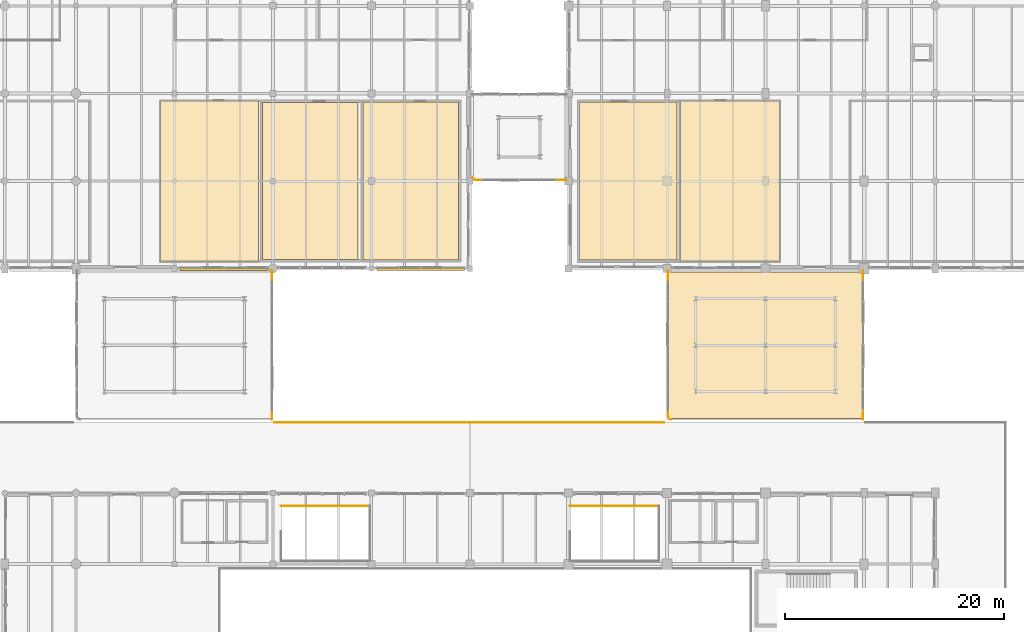
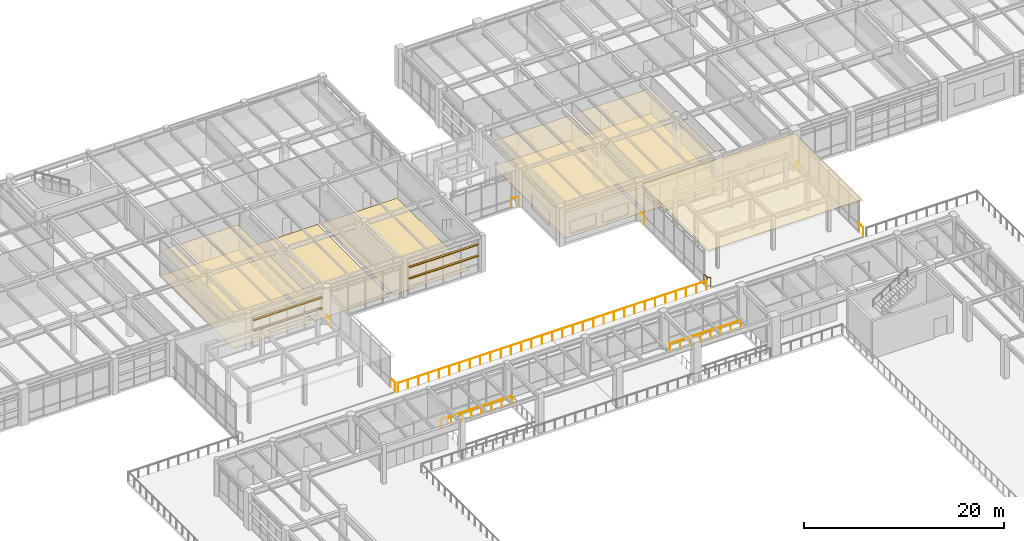
# One storey, part 196 of 200: 11 railings, 9 coverings, 4 shading devices.
"""IFC4 building model written with IfcOpenShell, lengths in metres."""

import ifcopenshell
import ifcopenshell.guid

model = None  # the IFC model being written
_history = None  # IfcOwnerHistory: only IFC2X3 demands one
_inside = {}  # id of a spatial element -> (the spatial element, [elements in it])
_under = {}  # id of a project, library or spatial element -> (it, [spatial elements below it])
_declared = {}  # id of a project -> (the project, [libraries it declares])
_typed = {}  # id of a type object -> (the type object, [elements of that type])
_made_of = {}  # id of a material, layer set ... -> (it, [elements and type objects made of it])


def new_model(schema):
    """Start an empty IFC model of exactly this schema.

    Asked for "IFC4X3", IfcOpenShell would pick the latest addendum, in which some entities
    have other attributes; the version numbers below select the first issue.
    IFC2X3 requires an IfcOwnerHistory on every rooted entity: one is made here for all.
    """
    global model, _history
    if schema == "IFC4X3":
        model = ifcopenshell.file(schema_version=(4, 3, 0, 0))
    else:
        model = ifcopenshell.file(schema=schema)
    _inside.clear()
    _under.clear()
    _declared.clear()
    _typed.clear()
    _made_of.clear()
    _history = None
    if model.schema == "IFC2X3":
        org = make("IfcOrganization", Name="unknown")
        user = make(
            "IfcPersonAndOrganization",
            ThePerson=make("IfcPerson", FamilyName="unknown"),
            TheOrganization=org,
        )
        app = make(
            "IfcApplication",
            ApplicationDeveloper=org,
            Version="unknown",
            ApplicationFullName="unknown",
            ApplicationIdentifier="unknown",
        )
        _history = make(
            "IfcOwnerHistory",
            OwningUser=user,
            OwningApplication=app,
            ChangeAction="ADDED",
            CreationDate=0,
        )
    return model


def make(cls, **values):
    """One entity of the class cls with the attributes given. An attribute that is None is left unset."""
    return model.create_entity(
        cls, **{name: value for name, value in values.items() if value is not None}
    )


def rooted(cls, **values):
    """An entity with a GlobalId (a new one), such as an element, a storey or a relation."""
    return make(cls, GlobalId=ifcopenshell.guid.new(), OwnerHistory=_history, **values)


def si_unit(unit_type, name, prefix=None):
    """IfcSIUnit, for example si_unit("LENGTHUNIT", "METRE", prefix="MILLI")."""
    return make("IfcSIUnit", UnitType=unit_type, Prefix=prefix, Name=name)


def assignment(units):
    """IfcUnitAssignment: the units of a project."""
    return None if units is None else make("IfcUnitAssignment", Units=units)


def point(xyz):
    """IfcCartesianPoint."""
    return None if xyz is None else make("IfcCartesianPoint", Coordinates=xyz)


def direction(xyz):
    """IfcDirection."""
    return None if xyz is None else make("IfcDirection", DirectionRatios=xyz)


def frame(location, z_axis=None, x_axis=None):
    """IfcAxis2Placement3D, a coordinate frame: its origin and axes. An axis left out is left unset."""
    return make(
        "IfcAxis2Placement3D",
        Location=point(location),
        Axis=direction(z_axis),
        RefDirection=direction(x_axis),
    )


def frame_2d(location, x_axis=None):
    """IfcAxis2Placement2D, a coordinate frame in the plane: its origin and x axis."""
    return make(
        "IfcAxis2Placement2D", Location=point(location), RefDirection=direction(x_axis)
    )


def origin():
    """The frame at (0, 0, 0) with its axes left unset."""
    return frame((0.0, 0.0, 0.0))


def origin_2d():
    """The frame at (0, 0) in the plane with its x axis left unset."""
    return frame_2d((0.0, 0.0))


def place(relative_to, where):
    """IfcLocalPlacement: puts the frame where relative to a parent placement (None: the world)."""
    return make(
        "IfcLocalPlacement", PlacementRelTo=relative_to, RelativePlacement=where
    )


def context(
    kind, dimensions, precision=None, world=None, true_north=None, identifier=None
):
    """IfcGeometricRepresentationContext, for example the 3D "Model" context."""
    return make(
        "IfcGeometricRepresentationContext",
        ContextIdentifier=identifier,
        ContextType=kind,
        CoordinateSpaceDimension=dimensions,
        Precision=precision,
        WorldCoordinateSystem=world,
        TrueNorth=true_north,
    )


def subcontext(parent, identifier, kind, view, scale=None):
    """IfcGeometricRepresentationSubContext, for example "Body" below "Model"."""
    return make(
        "IfcGeometricRepresentationSubContext",
        ContextIdentifier=identifier,
        ContextType=kind,
        ParentContext=parent,
        TargetScale=scale,
        TargetView=view,
    )


def project(units=None, contexts=None):
    """IfcProject with its units and contexts."""
    return rooted(
        "IfcProject",
        Name="project",
        RepresentationContexts=contexts,
        UnitsInContext=assignment(units),
    )


def spatial(cls, under=None, at=None, **own):
    """A site, building, storey or space (cls), placed at a placement, below another one or the project."""
    s = rooted(cls, ObjectPlacement=at, **own)
    if under is not None:
        _under.setdefault(under.id(), (under, []))[1].append(s)
    return s


def polyline(points):
    """IfcPolyline through the points."""
    return make("IfcPolyline", Points=[point(p) for p in points])


def profile(cls, at=None, kind="AREA", **sizes):
    """A parametric profile (cls). Its sizes go by their IFC names, for example OverallWidth=200.0."""
    return make(cls, ProfileType=kind, Position=at, **sizes)


def rectangle(**sizes):
    """IfcRectangleProfileDef."""
    return profile("IfcRectangleProfileDef", **sizes)


def circle(**sizes):
    """IfcCircleProfileDef."""
    return profile("IfcCircleProfileDef", **sizes)


def outline(outer, holes=None, kind="AREA"):
    """IfcArbitraryClosedProfileDef: a profile drawn as a closed curve; with holes, ...WithVoids."""
    if holes is None:
        return make("IfcArbitraryClosedProfileDef", ProfileType=kind, OuterCurve=outer)
    return make(
        "IfcArbitraryProfileDefWithVoids",
        ProfileType=kind,
        OuterCurve=outer,
        InnerCurves=holes,
    )


def extrude(swept, where, along, depth):
    """IfcExtrudedAreaSolid: the profile swept, set in the frame where, extruded along a direction by depth."""
    return make(
        "IfcExtrudedAreaSolid",
        SweptArea=swept,
        Position=where,
        ExtrudedDirection=direction(along),
        Depth=depth,
    )


def shape(context_of_items, identifier, shape_type, items):
    """IfcShapeRepresentation: the items that make up one representation, for example the "Body"."""
    return make(
        "IfcShapeRepresentation",
        ContextOfItems=context_of_items,
        RepresentationIdentifier=identifier,
        RepresentationType=shape_type,
        Items=items,
    )


def material(Name=None, Category=None):
    """IfcMaterial."""
    return make("IfcMaterial", Name=Name, Category=Category)


def layer(
    of_material, thickness, ventilated=None, Name=None, Category=None, Priority=None
):
    """IfcMaterialLayer: one layer of a wall or slab, of a material (None: an air gap)."""
    return make(
        "IfcMaterialLayer",
        Material=of_material,
        LayerThickness=thickness,
        IsVentilated=ventilated,
        Name=Name,
        Category=Category,
        Priority=Priority,
    )


def layer_set(layers, Name=None):
    """IfcMaterialLayerSet."""
    return make("IfcMaterialLayerSet", MaterialLayers=layers, LayerSetName=Name)


def made_of(thing, what):
    """Note that an element or type object is made of a material, layer set ...; save() writes the relation."""
    if what is not None:
        _made_of.setdefault(what.id(), (what, []))[1].append(thing)
    return thing


def type_object(cls, material=None, **own):
    """A type object (cls), such as IfcWallType, which elements share."""
    return made_of(rooted(cls, **own), material)


def element(
    cls,
    number,
    at=None,
    inside=None,
    cuts=None,
    type_object=None,
    material=None,
    context=None,
    identifier="Body",
    shape_type=None,
    held_by="IfcProductDefinitionShape",
    body=None,
    shapes=None,
    **own,
):
    """One element of the class cls, such as IfcWall. Its Tag is "e" and its number.

    at: its placement. inside: the storey or other place that contains it. cuts: it is an
    opening in that element (IfcRelVoidsElement). A single representation is given by context,
    identifier, shape_type and body (its items); several are given by shapes. held_by: the class
    of the entity that holds the representations. save() writes the other relations.
    """
    e = rooted(cls, Tag="e%d" % number, ObjectPlacement=at, **own)
    if body is not None:
        shapes = [shape(context, identifier, shape_type, body)]
    if shapes is not None:
        e.Representation = make(held_by, Representations=shapes)
    if inside is not None:
        _inside.setdefault(inside.id(), (inside, []))[1].append(e)
    if cuts is not None:
        rooted(
            "IfcRelVoidsElement", RelatingBuildingElement=cuts, RelatedOpeningElement=e
        )
    if type_object is not None:
        _typed.setdefault(type_object.id(), (type_object, []))[1].append(e)
    return made_of(e, material)


def aggregate(whole, parts):
    """IfcRelAggregates: a whole, such as a stair, and the parts it consists of."""
    return rooted("IfcRelAggregates", RelatingObject=whole, RelatedObjects=parts)


def save(model, path):
    """Write the relations noted so far, then the file.

    IfcRelAggregates (storeys below a building ...), IfcRelContainedInSpatialStructure (elements
    in a storey), IfcRelDefinesByType, IfcRelAssociatesMaterial and IfcRelDeclares: one each for
    every whole, place, type object, material and project.
    """
    for whole, parts in _under.values():
        aggregate(whole, parts)
    for where, things in _inside.values():
        rooted(
            "IfcRelContainedInSpatialStructure",
            RelatedElements=things,
            RelatingStructure=where,
        )
    for kind, things in _typed.values():
        rooted("IfcRelDefinesByType", RelatedObjects=things, RelatingType=kind)
    for what, things in _made_of.values():
        rooted("IfcRelAssociatesMaterial", RelatedObjects=things, RelatingMaterial=what)
    for by, libraries in _declared.values():
        rooted("IfcRelDeclares", RelatingContext=by, RelatedDefinitions=libraries)
    model.write(path)


model = new_model("IFC4")

# Units and contexts
model_context = context("Model", 3, precision=1e-05, world=origin(), true_north=direction((0.0, 1.0)))
body_context = subcontext(model_context, "Body", "Model", "MODEL_VIEW")
ifc_project = project(units=[si_unit("LENGTHUNIT", "METRE"), si_unit("AREAUNIT", "SQUARE_METRE"), si_unit("VOLUMEUNIT", "CUBIC_METRE"), si_unit("PLANEANGLEUNIT", "RADIAN"), si_unit("MASSUNIT", "GRAM", prefix="KILO"), si_unit("THERMODYNAMICTEMPERATUREUNIT", "KELVIN"), si_unit("POWERUNIT", "WATT")], contexts=[model_context])

# Site, building, storey
site_placement = place(None, origin())
site = spatial("IfcSite", under=ifc_project, at=site_placement, CompositionType="ELEMENT")
building_placement = place(site_placement, origin())
building = spatial("IfcBuilding", under=site, at=building_placement, Name="Tepalcoro Natatorium and Aquatics Centre", CompositionType="ELEMENT")
storey_placement = place(building_placement, frame((0.0, 0.0, 5.39990234375)))
storey = spatial("IfcBuildingStorey", under=building, at=storey_placement, Name="L01", CompositionType="ELEMENT", Elevation=5.39990234375)

# Coverings
ifc_material_1 = material(Name="Perforated Corrosion-Resistant Acoustic Aluminium Baffle Ceiling", Category="aluminium")
ifc_layer_1 = layer(ifc_material_1, 0.044921875)
ifc_layer_set_1 = layer_set([ifc_layer_1], Name="Perforated Corrosion-Resistant Acoustic Aluminium Baffle Ceiling")
covering_type_1 = type_object("IfcCoveringType", Name="CL_BAFFLE_120", PredefinedType="CEILING", material=ifc_layer_set_1)
covering_1_placement = place(storey_placement, frame((0.0, 0.0, 3.050048828125)))
element("IfcCovering", 1, at=covering_1_placement, inside=storey, type_object=covering_type_1, Name="Pilates, Mobility & Balance Studio Suspended Ceiling", PredefinedType="CEILING", context=body_context, shape_type="SweptSolid", body=[
    extrude(outline(polyline([(60.72998046875, 86.68994140625), (60.72998046875, 101.31005859375), (69.669921875, 101.31005859375), (69.669921875, 86.68994140625), (60.72998046875, 86.68994140625)])), origin(), (0.0, 0.0, 1.0), 0.045166015625),
])
ifc_material_2 = material(Name="Moisture-Resistant Acoustic Gypsum Drywall on Cold-Formed Metal Studs")
ifc_layer_2 = layer(ifc_material_2, 0.030029296875)
ifc_layer_set_2 = layer_set([ifc_layer_2], Name="Moisture-Resistant Acoustic Gypsum Drywall on Cold-Formed Metal Studs")
covering_type_2 = type_object("IfcCoveringType", Name="CL_GYPSUM_30", PredefinedType="CEILING", material=ifc_layer_set_2)
covering_2_placement = place(storey_placement, frame((0.0, 0.0, 3.050048828125)))
element("IfcCovering", 2, at=covering_2_placement, inside=storey, type_object=covering_type_2, Name="International Written Press Workroom (120 Desks) Suspended Ceiling", PredefinedType="CEILING", context=body_context, shape_type="SweptSolid", body=[
    extrude(outline(polyline([(99.010009765625, 86.77001953125), (99.010009765625, 101.22998046875), (107.889892578125, 101.22998046875), (107.889892578125, 86.77001953125), (99.010009765625, 86.77001953125)])), origin(), (0.0, 0.0, 1.0), 0.030029296875),
])
ifc_layer_3 = layer(ifc_material_1, 0.0400390625)
ifc_layer_set_3 = layer_set([ifc_layer_3], Name="Perforated Corrosion-Resistant Acoustic Aluminium Baffle Ceiling")
covering_type_3 = type_object("IfcCoveringType", Name="CL_PERF_AL_40", PredefinedType="CEILING", material=ifc_layer_set_3)
covering_3_placement = place(storey_placement, frame((0.0, 0.0, 3.050048828125)))
element("IfcCovering", 3, at=covering_3_placement, inside=storey, type_object=covering_type_3, Name="Photographers Darkroom, Editing & Locker Lounge Suspended Ceiling", PredefinedType="CEILING", context=body_context, shape_type="SweptSolid", body=[
    extrude(outline(polyline([(108.22998046875, 86.68994140625), (108.22998046875, 101.31005859375), (117.27001953125, 101.31005859375), (117.27001953125, 86.68994140625), (108.22998046875, 86.68994140625)])), origin(), (0.0, 0.0, 1.0), 0.0400390625),
])
ifc_material_3 = material(Name="Chemical-Resistant Quartz-Broadcast Epoxy Flooring")
ifc_layer_4 = layer(ifc_material_3, 0.008056640625)
ifc_layer_set_4 = layer_set([ifc_layer_4], Name="Chemical-Resistant Quartz-Broadcast Epoxy Flooring")
covering_type_4 = type_object("IfcCoveringType", Name="FL_EPOXY_8", PredefinedType="FLOORING", material=ifc_layer_set_4)
covering_4_placement = place(storey_placement, origin())
element("IfcCovering", 4, at=covering_4_placement, inside=storey, type_object=covering_type_4, Name="Gym Accessible WC & Shower Floor Finish", PredefinedType="FLOORING", context=body_context, shape_type="SweptSolid", body=[
    extrude(outline(polyline([(79.22998046875, 86.7900390625), (79.22998046875, 101.2099609375), (87.969970703125, 101.2099609375), (87.969970703125, 86.7900390625), (79.22998046875, 86.7900390625)])), origin(), (0.0, 0.0, 1.0), 0.008056640625),
])
ifc_material_4 = material(Name="Polished Jalisco Basalt Aggregate Terrazzo Flooring", Category="masonry")
ifc_layer_5 = layer(ifc_material_4, 0.028076171875)
ifc_layer_set_5 = layer_set([ifc_layer_5], Name="Polished Jalisco Basalt Aggregate Terrazzo Flooring")
covering_type_5 = type_object("IfcCoveringType", Name="FL_TERRAZZO_25", PredefinedType="FLOORING", material=ifc_layer_set_5)
covering_5_placement = place(storey_placement, origin())
element("IfcCovering", 5, at=covering_5_placement, inside=storey, type_object=covering_type_5, Name="Athlete Dry Changing & Showers Male/Female Floor Finish", PredefinedType="FLOORING", context=body_context, shape_type="SweptSolid", body=[
    extrude(outline(polyline([(70.050048828125, 86.81005859375), (70.050048828125, 101.18994140625), (78.75, 101.18994140625), (78.75, 86.81005859375), (70.050048828125, 86.81005859375)])), origin(), (0.0, 0.0, 1.0), 0.028076171875),
])
covering_6_placement = place(storey_placement, origin())
element("IfcCovering", 6, at=covering_6_placement, inside=storey, type_object=covering_type_5, Name="Photographers Darkroom, Editing & Locker Lounge Floor Finish", PredefinedType="FLOORING", context=body_context, shape_type="SweptSolid", body=[
    extrude(outline(polyline([(108.22998046875, 86.68994140625), (108.22998046875, 101.31005859375), (117.27001953125, 101.31005859375), (117.27001953125, 86.68994140625), (108.22998046875, 86.68994140625)])), origin(), (0.0, 0.0, 1.0), 0.028076171875),
])
ifc_material_5 = material(Name="Sprung Maple Sports Floor Assembly")
ifc_layer_6 = layer(ifc_material_5, 0.02392578125)
ifc_layer_set_6 = layer_set([ifc_layer_6], Name="Sprung Maple Sports Floor Assembly")
covering_type_6 = type_object("IfcCoveringType", Name="FL_WOOD_22", PredefinedType="FLOORING", material=ifc_layer_set_6)
covering_7_placement = place(storey_placement, origin())
element("IfcCovering", 7, at=covering_7_placement, inside=storey, type_object=covering_type_6, Name="Pilates, Mobility & Balance Studio Floor Finish", PredefinedType="FLOORING", context=body_context, shape_type="SweptSolid", body=[
    extrude(outline(polyline([(60.72998046875, 86.68994140625), (60.72998046875, 101.31005859375), (69.669921875, 101.31005859375), (69.669921875, 86.68994140625), (60.72998046875, 86.68994140625)])), origin(), (0.0, 0.0, 1.0), 0.024169921875),
])
covering_8_placement = place(storey_placement, origin())
element("IfcCovering", 8, at=covering_8_placement, inside=storey, type_object=covering_type_6, Name="International Written Press Workroom (120 Desks) Floor Finish", PredefinedType="FLOORING", context=body_context, shape_type="SweptSolid", body=[
    extrude(outline(polyline([(99.010009765625, 86.77001953125), (99.010009765625, 101.22998046875), (107.889892578125, 101.22998046875), (107.889892578125, 86.77001953125), (99.010009765625, 86.77001953125)])), origin(), (0.0, 0.0, 1.0), 0.024169921875),
])
ifc_material_6 = material(Name="Intensive Native Jalisco Planted Roof Substrate and Waterproofing Membrane")
ifc_layer_7 = layer(ifc_material_6, 0.00390625)
ifc_layer_set_7 = layer_set([ifc_layer_7], Name="Intensive Native Jalisco Planted Roof Substrate and Waterproofing Membrane")
covering_type_7 = type_object("IfcCoveringType", Name="MEM_EPDM_4", PredefinedType="MEMBRANE", material=ifc_layer_set_7)
covering_9_placement = place(storey_placement, frame((0.0, 0.0, 4.400146484375)))
element("IfcCovering", 9, at=covering_9_placement, inside=storey, type_object=covering_type_7, Name="East Court Wellness Arcade Roof Waterproofing Membrane", PredefinedType="MEMBRANE", context=body_context, shape_type="SweptSolid", body=[
    extrude(outline(polyline([(107.14990234375, 72.300048828125), (124.85009765625, 72.300048828125), (124.85009765625, 85.699951171875), (107.14990234375, 85.699951171875), (107.14990234375, 72.300048828125)])), origin(), (0.0, 0.0, 1.0), 0.00390625),
])

# Railings
ifc_material_7 = material(Name="Marine-Grade Brushed Stainless Steel AISI 316L", Category="steel")
railing_type_1 = type_object("IfcRailingType", Name="RL_GLASS_1100", PredefinedType="GUARDRAIL", material=ifc_material_7)
for number, where, name in (
    (10, (70.919921875, 72.18994140625, 0.0), "West Court Swimmers Arcade L01 Seismic Joint Edge Guard ES"),
    (11, (70.919921875, 84.949951171875, 0.0), "West Court Swimmers Arcade L01 Seismic Joint Edge Guard EN"),
):
    element("IfcRailing", number, at=place(storey_placement, frame(where)), inside=storey, type_object=railing_type_1, Name=name, PredefinedType="GUARDRAIL", context=body_context, shape_type="SweptSolid", body=[
        extrude(circle(Radius=0.02392578125, at=origin_2d()), frame((0.0, 0.0, 1.09619140625), z_axis=(0.0, 1.0, 0.0), x_axis=(-1.0, 0.0, 0.0)), (0.0, 0.0, 1.0), 0.860107421875),
        extrude(circle(Radius=0.02099609375, at=origin_2d()), origin(), (0.0, 0.0, 1.0), 1.072021484375),
        extrude(circle(Radius=0.02099609375, at=origin_2d()), frame((0.0, 0.860107421875, 0.0)), (0.0, 0.0, 1.0), 1.072021484375),
    ])
railing_1_placement = place(storey_placement, frame((107.35009765625, 72.2099609375, 0.0)))
element("IfcRailing", 12, at=railing_1_placement, inside=storey, type_object=railing_type_1, Name="East Court Wellness Arcade L01 Seismic Joint Edge Guard WS", PredefinedType="GUARDRAIL", context=body_context, shape_type="SweptSolid", body=[
    extrude(circle(Radius=0.02392578125, at=origin_2d()), frame((0.0, 0.0, 1.09619140625), z_axis=(-0.668931315457, 0.743324219436, 0.0), x_axis=(-0.743324219436, -0.668931315457, 0.0)), (0.0, 0.0, 1.0), 0.403564453125),
    extrude(circle(Radius=0.02392578125, at=origin_2d()), frame((-0.27001953125, 0.300048828125, 1.09619140625), z_axis=(0.0, 1.0, 0.0), x_axis=(-1.0, 0.0, 0.0)), (0.0, 0.0, 1.0), 0.5400390625),
    extrude(circle(Radius=0.02099609375, at=origin_2d()), origin(), (0.0, 0.0, 1.0), 1.072021484375),
    extrude(circle(Radius=0.02099609375, at=origin_2d()), frame((-0.27001953125, 0.300048828125, 0.0)), (0.0, 0.0, 1.0), 1.072021484375),
    extrude(circle(Radius=0.02099609375, at=origin_2d()), frame((-0.27001953125, 0.840087890625, 0.0)), (0.0, 0.0, 1.0), 1.072021484375),
])
for number, where, name in (
    (13, (107.080078125, 84.949951171875, 0.0), "East Court Wellness Arcade L01 Seismic Joint Edge Guard WN"),
    (14, (124.919921875, 72.18994140625, 0.0), "East Court Wellness Arcade L01 Seismic Joint Edge Guard ES"),
    (15, (124.919921875, 84.949951171875, 0.0), "East Court Wellness Arcade L01 Seismic Joint Edge Guard EN"),
):
    element("IfcRailing", number, at=place(storey_placement, frame(where)), inside=storey, type_object=railing_type_1, Name=name, PredefinedType="GUARDRAIL", context=body_context, shape_type="SweptSolid", body=[
        extrude(circle(Radius=0.02392578125, at=origin_2d()), frame((0.0, 0.0, 1.09619140625), z_axis=(0.0, 1.0, 0.0), x_axis=(-1.0, 0.0, 0.0)), (0.0, 0.0, 1.0), 0.860107421875),
        extrude(circle(Radius=0.02099609375, at=origin_2d()), origin(), (0.0, 0.0, 1.0), 1.072021484375),
        extrude(circle(Radius=0.02099609375, at=origin_2d()), frame((0.0, 0.860107421875, 0.0)), (0.0, 0.0, 1.0), 1.072021484375),
    ])
railing_2_placement = place(storey_placement, frame((89.2099609375, 94.35009765625, 0.0)))
element("IfcRailing", 16, at=railing_2_placement, inside=storey, type_object=railing_type_1, Name="North Spine Seismic Link L01 Seismic Joint Edge Guard SW", PredefinedType="GUARDRAIL", context=body_context, shape_type="SweptSolid", body=[
    extrude(circle(Radius=0.02392578125, at=origin_2d()), frame((0.0, 0.0, 1.09619140625), z_axis=(0.743324219436, -0.668931315457, 0.0), x_axis=(0.668931315457, 0.743324219436, 0.0)), (0.0, 0.0, 1.0), 0.403564453125),
    extrude(circle(Radius=0.02392578125, at=origin_2d()), frame((0.300048828125, -0.27001953125, 1.09619140625), z_axis=(1.0, 0.0, 0.0), x_axis=(0.0, 1.0, 0.0)), (0.0, 0.0, 1.0), 0.5400390625),
    extrude(circle(Radius=0.02099609375, at=origin_2d()), origin(), (0.0, 0.0, 1.0), 1.072021484375),
    extrude(circle(Radius=0.02099609375, at=origin_2d()), frame((0.300048828125, -0.27001953125, 0.0)), (0.0, 0.0, 1.0), 1.072021484375),
    extrude(circle(Radius=0.02099609375, at=origin_2d()), frame((0.840087890625, -0.27001953125, 0.0)), (0.0, 0.0, 1.0), 1.072021484375),
])
railing_3_placement = place(storey_placement, frame((96.949951171875, 94.080078125, 0.0)))
element("IfcRailing", 17, at=railing_3_placement, inside=storey, type_object=railing_type_1, Name="North Spine Seismic Link L01 Seismic Joint Edge Guard SE", PredefinedType="GUARDRAIL", context=body_context, shape_type="SweptSolid", body=[
    extrude(circle(Radius=0.02392578125, at=origin_2d()), frame((0.0, 0.0, 1.09619140625), z_axis=(1.0, 0.0, 0.0), x_axis=(0.0, 1.0, 0.0)), (0.0, 0.0, 1.0), 0.860107421875),
    extrude(circle(Radius=0.02099609375, at=origin_2d()), origin(), (0.0, 0.0, 1.0), 1.072021484375),
    extrude(circle(Radius=0.02099609375, at=origin_2d()), frame((0.860107421875, 0.0, 0.0)), (0.0, 0.0, 1.0), 1.072021484375),
])
railing_type_2 = type_object("IfcRailingType", Name="RL_PERF_1100", PredefinedType="GUARDRAIL", material=ifc_material_7)
railing_4_placement = place(storey_placement, frame((106.719970703125, 71.919921875, 0.0)))
element("IfcRailing", 18, at=railing_4_placement, inside=storey, type_object=railing_type_2, Name="V1 L01 Planted Terrace Perimeter Guardrail (N-2)", PredefinedType="GUARDRAIL", context=body_context, shape_type="SweptSolid", body=[
    extrude(circle(Radius=0.02392578125, at=origin_2d()), frame((0.0, 0.0, 1.11572265625), z_axis=(-1.0, 0.0, 0.0), x_axis=(0.0, -1.0, 0.0)), (0.0, 0.0, 1.0), 35.599853515625),
    extrude(circle(Radius=0.02099609375, at=origin_2d()), origin(), (0.0, 0.0, 1.0), 1.091796875),
    extrude(circle(Radius=0.02099609375, at=origin_2d()), frame((-1.186767578125, 0.0, 0.0)), (0.0, 0.0, 1.0), 1.091796875),
    extrude(circle(Radius=0.02099609375, at=origin_2d()), frame((-2.373291015625, 0.0, 0.0)), (0.0, 0.0, 1.0), 1.091796875),
    extrude(circle(Radius=0.02099609375, at=origin_2d()), frame((-3.56005859375, 0.0, 0.0)), (0.0, 0.0, 1.0), 1.091796875),
    extrude(circle(Radius=0.02099609375, at=origin_2d()), frame((-4.74658203125, 0.0, 0.0)), (0.0, 0.0, 1.0), 1.091796875),
    extrude(circle(Radius=0.02099609375, at=origin_2d()), frame((-5.933349609375, 0.0, 0.0)), (0.0, 0.0, 1.0), 1.091796875),
    extrude(circle(Radius=0.02099609375, at=origin_2d()), frame((-7.119873046875, 0.0, 0.0)), (0.0, 0.0, 1.0), 1.091796875),
    extrude(circle(Radius=0.02099609375, at=origin_2d()), frame((-8.306640625, 0.0, 0.0)), (0.0, 0.0, 1.0), 1.091796875),
    extrude(circle(Radius=0.02099609375, at=origin_2d()), frame((-9.493408203125, 0.0, 0.0)), (0.0, 0.0, 1.0), 1.091796875),
    extrude(circle(Radius=0.02099609375, at=origin_2d()), frame((-10.679931640625, 0.0, 0.0)), (0.0, 0.0, 1.0), 1.091796875),
    extrude(circle(Radius=0.02099609375, at=origin_2d()), frame((-11.86669921875, 0.0, 0.0)), (0.0, 0.0, 1.0), 1.091796875),
    extrude(circle(Radius=0.02099609375, at=origin_2d()), frame((-13.05322265625, 0.0, 0.0)), (0.0, 0.0, 1.0), 1.091796875),
    extrude(circle(Radius=0.02099609375, at=origin_2d()), frame((-14.239990234375, 0.0, 0.0)), (0.0, 0.0, 1.0), 1.091796875),
    extrude(circle(Radius=0.02099609375, at=origin_2d()), frame((-15.426513671875, 0.0, 0.0)), (0.0, 0.0, 1.0), 1.091796875),
    extrude(circle(Radius=0.02099609375, at=origin_2d()), frame((-16.61328125, 0.0, 0.0)), (0.0, 0.0, 1.0), 1.091796875),
    extrude(circle(Radius=0.02099609375, at=origin_2d()), frame((-17.7998046875, 0.0, 0.0)), (0.0, 0.0, 1.0), 1.091796875),
    extrude(circle(Radius=0.02099609375, at=origin_2d()), frame((-18.986572265625, 0.0, 0.0)), (0.0, 0.0, 1.0), 1.091796875),
    extrude(circle(Radius=0.02099609375, at=origin_2d()), frame((-20.17333984375, 0.0, 0.0)), (0.0, 0.0, 1.0), 1.091796875),
    extrude(circle(Radius=0.02099609375, at=origin_2d()), frame((-21.35986328125, 0.0, 0.0)), (0.0, 0.0, 1.0), 1.091796875),
    extrude(circle(Radius=0.02099609375, at=origin_2d()), frame((-22.546630859375, 0.0, 0.0)), (0.0, 0.0, 1.0), 1.091796875),
    extrude(circle(Radius=0.02099609375, at=origin_2d()), frame((-23.733154296875, 0.0, 0.0)), (0.0, 0.0, 1.0), 1.091796875),
    extrude(circle(Radius=0.02099609375, at=origin_2d()), frame((-24.919921875, 0.0, 0.0)), (0.0, 0.0, 1.0), 1.091796875),
    extrude(circle(Radius=0.02099609375, at=origin_2d()), frame((-26.1064453125, 0.0, 0.0)), (0.0, 0.0, 1.0), 1.091796875),
    extrude(circle(Radius=0.02099609375, at=origin_2d()), frame((-27.293212890625, 0.0, 0.0)), (0.0, 0.0, 1.0), 1.091796875),
    extrude(circle(Radius=0.02099609375, at=origin_2d()), frame((-28.47998046875, 0.0, 0.0)), (0.0, 0.0, 1.0), 1.091796875),
    extrude(circle(Radius=0.02099609375, at=origin_2d()), frame((-29.66650390625, 0.0, 0.0)), (0.0, 0.0, 1.0), 1.091796875),
    extrude(circle(Radius=0.02099609375, at=origin_2d()), frame((-30.853271484375, 0.0, 0.0)), (0.0, 0.0, 1.0), 1.091796875),
    extrude(circle(Radius=0.02099609375, at=origin_2d()), frame((-32.039794921875, 0.0, 0.0)), (0.0, 0.0, 1.0), 1.091796875),
    extrude(circle(Radius=0.02099609375, at=origin_2d()), frame((-33.2265625, 0.0, 0.0)), (0.0, 0.0, 1.0), 1.091796875),
    extrude(circle(Radius=0.02099609375, at=origin_2d()), frame((-34.4130859375, 0.0, 0.0)), (0.0, 0.0, 1.0), 1.091796875),
    extrude(circle(Radius=0.02099609375, at=origin_2d()), frame((-35.599853515625, 0.0, 0.0)), (0.0, 0.0, 1.0), 1.091796875),
])
railing_type_3 = type_object("IfcRailingType", Name="RL_SS_1100", PredefinedType="GUARDRAIL", material=ifc_material_7)
for number, where, name in (
    (19, (79.8798828125, 64.330078125, 0.0), "Spectator Vomitory Well Guard 3 (N)"),
    (20, (106.280029296875, 64.330078125, 0.0), "Spectator Vomitory Well Guard 4 (N)"),
):
    element("IfcRailing", number, at=place(storey_placement, frame(where)), inside=storey, type_object=railing_type_3, Name=name, PredefinedType="GUARDRAIL", context=body_context, shape_type="SweptSolid", body=[
        extrude(circle(Radius=0.02392578125, at=origin_2d()), frame((0.0, 0.0, 1.076171875), z_axis=(-1.0, 0.0, 0.0), x_axis=(0.0, -1.0, 0.0)), (0.0, 0.0, 1.0), 8.159912109375),
        extrude(circle(Radius=0.02099609375, at=origin_2d()), origin(), (0.0, 0.0, 1.0), 1.052001953125),
        extrude(circle(Radius=0.02099609375, at=origin_2d()), frame((-1.165771484375, 0.0, 0.0)), (0.0, 0.0, 1.0), 1.052001953125),
        extrude(circle(Radius=0.02099609375, at=origin_2d()), frame((-2.331298828125, 0.0, 0.0)), (0.0, 0.0, 1.0), 1.052001953125),
        extrude(circle(Radius=0.02099609375, at=origin_2d()), frame((-3.4970703125, 0.0, 0.0)), (0.0, 0.0, 1.0), 1.052001953125),
        extrude(circle(Radius=0.02099609375, at=origin_2d()), frame((-4.662841796875, 0.0, 0.0)), (0.0, 0.0, 1.0), 1.052001953125),
        extrude(circle(Radius=0.02099609375, at=origin_2d()), frame((-5.82861328125, 0.0, 0.0)), (0.0, 0.0, 1.0), 1.052001953125),
        extrude(circle(Radius=0.02099609375, at=origin_2d()), frame((-6.994140625, 0.0, 0.0)), (0.0, 0.0, 1.0), 1.052001953125),
        extrude(circle(Radius=0.02099609375, at=origin_2d()), frame((-8.159912109375, 0.0, 0.0)), (0.0, 0.0, 1.0), 1.052001953125),
    ])

# Shading devices
ifc_material_8 = material(Name="Bronze-Anodised Extruded Aluminium Alloy EN AW-6063 T6", Category="aluminium")
shading_device_type = type_object("IfcShadingDeviceType", Name="SHD_LOUVRE_AL", PredefinedType="JALOUSIE", material=ifc_material_8)
for number, where, z_axis, x_axis, name in (
    (21, (66.5, 85.936279296875, 1.97119140625), (0.0, 0.0, 1.0), (1.0, 0.0, 0.0), "Solar Shading Brise-Soleil SHD_LOUVRE_AL"),
    (22, (66.5, 85.936279296875, 3.26806640625), (0.0, 0.0, 1.0), (1.0, 0.0, 0.0), "Solar Shading Brise-Soleil SHD_LOUVRE_AL"),
    (23, (84.5, 85.936279296875, 2.03955078125), (0.0, 0.0, 1.0), (1.0, 0.0, 0.0), "Solar Shading Brise-Soleil SHD_LOUVRE_AL"),
    (24, (84.5, 85.936279296875, 3.420166015625), (0.0, 0.0, 1.0), (1.0, 0.0, 0.0), "Solar Shading Brise-Soleil SHD_LOUVRE_AL"),
):
    element("IfcShadingDevice", number, at=place(storey_placement, frame(where, z_axis=z_axis, x_axis=x_axis)), inside=storey, type_object=shading_device_type, Name=name, PredefinedType="JALOUSIE", context=body_context, shape_type="SweptSolid", body=[
        extrude(rectangle(XDim=7.9599609375, YDim=0.239990234375, at=origin_2d()), origin(), (0.0, 0.0, 1.0), 0.080078125),
    ])

save(model, "model.ifc")
